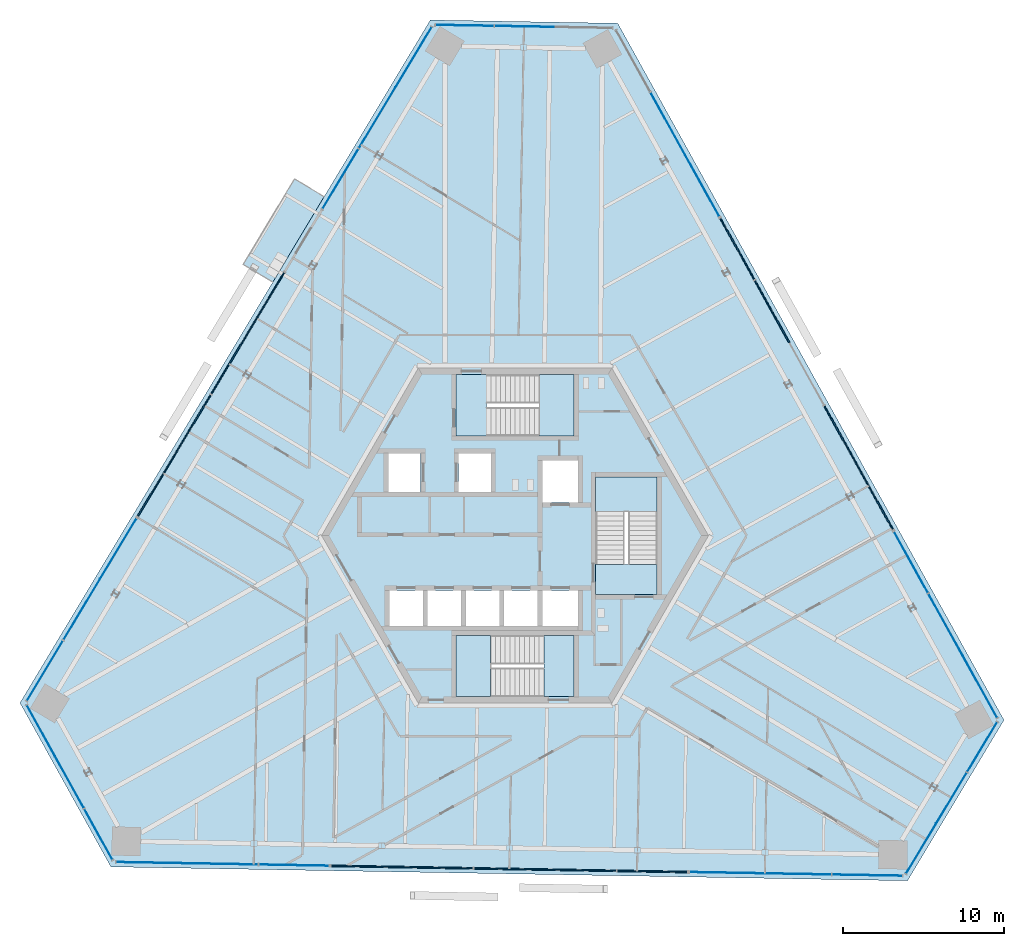
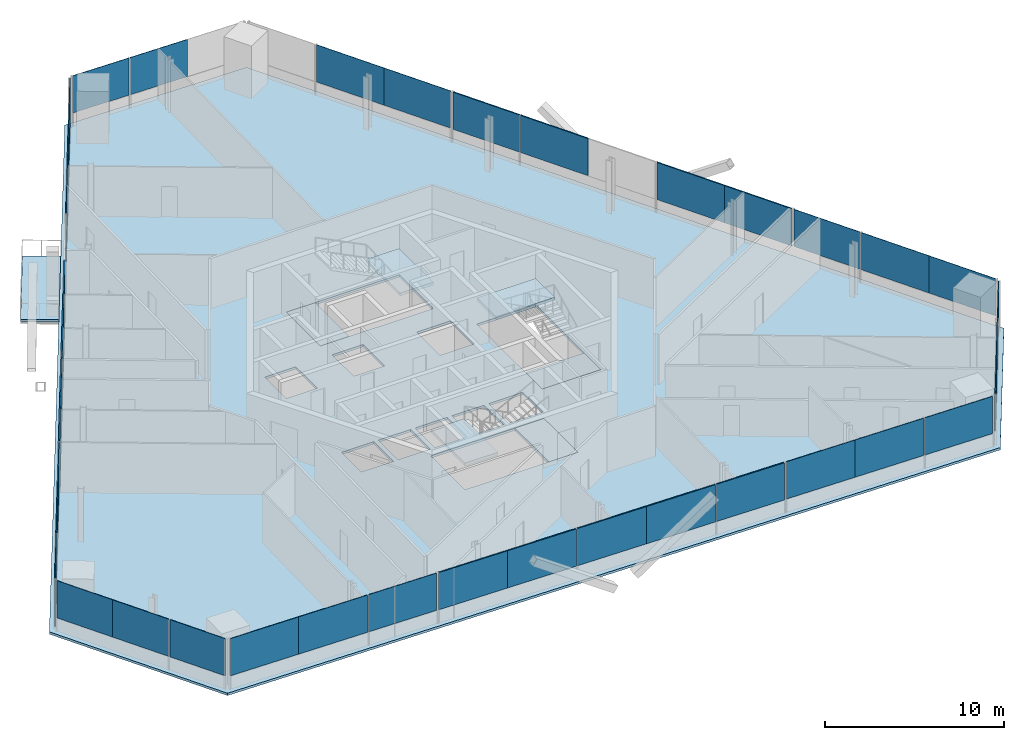
# One storey, part 10 of 18: 38 plates, 8 slabs, 15 elements without a shape of their own.
"""IFC4 building model written with IfcOpenShell, lengths in metres."""

from ifc_helpers import new_model, si_unit, direction, frame, origin, origin_2d, place, context, subcontext, project, spatial, polyline, rectangle, outline, extrude, source, transform, mapped, material, layer, layer_set, type_object, element, aggregate, save


model = new_model("IFC4")

# Units and contexts
model_context = context("Model", 3, precision=1e-05, world=origin(), true_north=direction((0.0, 1.0)))
body_context = subcontext(model_context, "Body", "Model", "MODEL_VIEW")
ifc_project = project(units=[si_unit("LENGTHUNIT", "METRE"), si_unit("AREAUNIT", "SQUARE_METRE"), si_unit("VOLUMEUNIT", "CUBIC_METRE"), si_unit("PLANEANGLEUNIT", "RADIAN"), si_unit("MASSUNIT", "GRAM", prefix="KILO")], contexts=[model_context])

# Site, building, storey
site_placement = place(None, origin())
site = spatial("IfcSite", under=ifc_project, at=site_placement, CompositionType="ELEMENT")
building_placement = place(site_placement, origin())
building = spatial("IfcBuilding", under=site, at=building_placement, Name="Triune Harvest Tower", CompositionType="ELEMENT")
storey_placement = place(building_placement, frame((0.0, 0.0, 197.89990234375)))
storey = spatial("IfcBuildingStorey", under=building, at=storey_placement, Name="L51", CompositionType="ELEMENT", Elevation=197.89990234375)

# Curtain wall, plates
ifc_material_1 = material(Name="Aluminium bronze anodised", Category="aluminium")
curtain_wall_type_1 = type_object("IfcCurtainWallType", Name="CW-6 Balcony window wall", PredefinedType="NOTDEFINED", material=ifc_material_1)
curtain_wall_1_placement = place(storey_placement, origin())
curtain_wall_1 = element("IfcCurtainWall", 1, at=curtain_wall_1_placement, inside=storey, type_object=curtain_wall_type_1, Name="CW-6 B5-F3 L51 run 1")
ifc_material_2 = material(Name="Glass", Category="glass")
ifc_layer_1 = layer(ifc_material_2, 0.030029296875)
ifc_layer_set_1 = layer_set([ifc_layer_1], Name="Glass")
plate_type_1 = type_object("IfcPlateType", Name="GL-6 panel 30", PredefinedType="CURTAIN_PANEL", material=ifc_layer_set_1)
plate_1_placement = place(storey_placement, frame((-6.294677734375, 29.67041015625, 0.150146484375), z_axis=(0.0, 0.0, 1.0), x_axis=(-0.515036632219, -0.857168167557, 0.0)))
plate_1 = element("IfcPlate", 2, at=plate_1_placement, type_object=plate_type_1, Name="CW-6 panel B5-F3 1.1", PredefinedType="CURTAIN_PANEL", context=body_context, shape_type="SweptSolid", body=[
    extrude(rectangle(XDim=4.355712890625, YDim=0.030029296875, at=origin_2d()), origin(), (0.0, 0.0, 1.0), 3.2900390625),
])
plate_2_placement = place(storey_placement, frame((-8.547607421875, 25.9208984375, 0.150146484375), z_axis=(0.0, 0.0, 1.0), x_axis=(-0.515036632219, -0.857168167557, 0.0)))
plate_2 = element("IfcPlate", 3, at=plate_2_placement, type_object=plate_type_1, Name="CW-6 panel B5-F3 1.2", PredefinedType="CURTAIN_PANEL", context=body_context, shape_type="SweptSolid", body=[
    extrude(rectangle(XDim=4.39306640625, YDim=0.030029296875, at=origin_2d()), origin(), (0.0, 0.0, 1.0), 3.2900390625),
])
plate_3_placement = place(storey_placement, frame((-10.82958984375, 22.123046875, 0.150146484375), z_axis=(0.0, 0.0, 1.0), x_axis=(-0.515036632219, -0.857168167557, 0.0)))
plate_3 = element("IfcPlate", 4, at=plate_3_placement, type_object=plate_type_1, Name="CW-6 panel B5-F3 1.3", PredefinedType="CURTAIN_PANEL", context=body_context, shape_type="SweptSolid", body=[
    extrude(rectangle(XDim=4.318115234375, YDim=0.030029296875, at=origin_2d()), origin(), (0.0, 0.0, 1.0), 3.2900390625),
])
aggregate(curtain_wall_1, [plate_1, plate_2, plate_3])

# Slab
ifc_material_3 = material(Name="Concrete 40 MPa", Category="concrete")
ifc_layer_2 = layer(ifc_material_3, 0.159912109375)
ifc_layer_set_2 = layer_set([ifc_layer_2], Name="Concrete 40 MPa")
slab_type_1 = type_object("IfcSlabType", Name="SL-1 Composite floor slab 160", PredefinedType="FLOOR", material=ifc_layer_set_2)
shared_shape_1 = source(origin(), body_context, "Body", "SweptSolid", [
    extrude(outline(polyline([(30.324951171875, -11.439208984375), (6.368896484375, 31.77880859375), (-5.256103515625, 31.981689453125), (-30.705810546875, -10.373779296875), (-25.069091796875, -20.542724609375), (24.3369140625, -21.405029296875), (30.324951171875, -11.439208984375)]), holes=[polyline([(-5.72509765625, -5.590087890625), (-5.72509765625, -3.389892578125), (-7.800048828125, -3.389892578125), (-7.800048828125, -5.590087890625), (-5.72509765625, -5.590087890625)]), polyline([(-3.35009765625, -5.590087890625), (-3.35009765625, -3.389892578125), (-5.425048828125, -3.389892578125), (-5.425048828125, -5.590087890625), (-3.35009765625, -5.590087890625)]), polyline([(-0.97509765625, -5.590087890625), (-0.97509765625, -3.389892578125), (-3.050048828125, -3.389892578125), (-3.050048828125, -5.590087890625), (-0.97509765625, -5.590087890625)]), polyline([(1.39990234375, -5.590087890625), (1.39990234375, -3.389892578125), (-0.675048828125, -3.389892578125), (-0.675048828125, -5.590087890625), (1.39990234375, -5.590087890625)]), polyline([(3.89990234375, 2.06005859375), (3.89990234375, 4.659912109375), (1.699951171875, 4.659912109375), (1.699951171875, 2.06005859375), (3.89990234375, 2.06005859375)]), polyline([(3.89990234375, -5.590087890625), (3.89990234375, -3.389892578125), (1.699951171875, -3.389892578125), (1.699951171875, -5.590087890625), (3.89990234375, -5.590087890625)]), polyline([(-5.85009765625, 2.7099609375), (-5.85009765625, 5.110107421875), (-7.85009765625, 5.110107421875), (-7.85009765625, 2.7099609375), (-5.85009765625, 2.7099609375)]), polyline([(-1.5, 2.7099609375), (-1.5, 5.110107421875), (-3.5, 5.110107421875), (-3.5, 2.7099609375), (-1.5, 2.7099609375)]), polyline([(3.64990234375, 6.18994140625), (3.64990234375, 9.989990234375), (-3.64990234375, 9.989990234375), (-3.64990234375, 6.18994140625), (3.64990234375, 6.18994140625)]), polyline([(3.64990234375, -9.989990234375), (3.64990234375, -6.18994140625), (-3.64990234375, -6.18994140625), (-3.64990234375, -9.989990234375), (3.64990234375, -9.989990234375)]), polyline([(8.800048828125, -3.64990234375), (8.800048828125, 3.64990234375), (5.0, 3.64990234375), (5.0, -3.64990234375), (8.800048828125, -3.64990234375)])]), origin(), (0.0, 0.0, 1.0), 0.159912109375),
])
slab_1_placement = place(storey_placement, frame((0.0, 0.0, -0.159912109375)))
element("IfcSlab", 5, at=slab_1_placement, inside=storey, type_object=slab_type_1, Name="slab/L51/1", PredefinedType="FLOOR", context=body_context, shape_type="MappedRepresentation", body=[
    mapped(shared_shape_1, transform((0.0, 0.0, 0.0), scale=1.0)),
])

# Stair, slabs
ifc_material_4 = material(Name="Concrete 40 MPa", Category="concrete")
stair_type = type_object("IfcStairType", Name="Exit stair 1800 half turn", PredefinedType="HALF_TURN_STAIR", material=ifc_material_4)
stair_1_placement = place(storey_placement, origin())
stair_1 = element("IfcStair", 6, at=stair_1_placement, inside=storey, type_object=stair_type, Name="Exit stair north", PredefinedType="HALF_TURN_STAIR")
ifc_material_5 = material(Name="Concrete 40 MPa", Category="concrete")
ifc_layer_3 = layer(ifc_material_5, 0.199951171875)
ifc_layer_set_3 = layer_set([ifc_layer_3], Name="Concrete 40 MPa")
slab_type_2 = type_object("IfcSlabType", Name="Stair landing 200", PredefinedType="LANDING", material=ifc_layer_set_3)
shared_shape_2 = source(origin(), body_context, "Body", "SweptSolid", [
    extrude(outline(polyline([(1.510009765625, 6.18994140625), (3.64990234375, 6.18994140625), (3.64990234375, 9.989990234375), (1.510009765625, 9.989990234375), (1.510009765625, 6.18994140625)])), origin(), (0.0, 0.0, 1.0), 0.199951171875),
])
slab_2_placement = place(storey_placement, frame((0.0, 0.0, 1.60009765625)))
slab_2 = element("IfcSlab", 7, at=slab_2_placement, type_object=slab_type_2, Name="ST-1 landing 2", PredefinedType="LANDING", context=body_context, shape_type="MappedRepresentation", body=[
    mapped(shared_shape_2, transform((0.0, 0.0, 0.0), scale=1.0)),
])
shared_shape_3 = source(origin(), body_context, "Body", "SweptSolid", [
    extrude(outline(polyline([(-3.64990234375, 6.18994140625), (-1.780029296875, 6.18994140625), (-1.780029296875, 9.989990234375), (-3.64990234375, 9.989990234375), (-3.64990234375, 6.18994140625)])), origin(), (0.0, 0.0, 1.0), 0.199951171875),
])
slab_3_placement = place(storey_placement, frame((0.0, 0.0, -0.199951171875)))
slab_3 = element("IfcSlab", 8, at=slab_3_placement, type_object=slab_type_2, Name="ST-1 landing 1", PredefinedType="LANDING", context=body_context, shape_type="MappedRepresentation", body=[
    mapped(shared_shape_3, transform((0.0, 0.0, 0.0), scale=1.0)),
])
aggregate(stair_1, [slab_3, slab_2])

stair_2_placement = place(storey_placement, origin())
stair_2 = element("IfcStair", 9, at=stair_2_placement, inside=storey, type_object=stair_type, Name="Exit stair south", PredefinedType="HALF_TURN_STAIR")
shared_shape_4 = source(origin(), body_context, "Body", "SweptSolid", [
    extrude(outline(polyline([(-1.510009765625, -6.18994140625), (-3.64990234375, -6.18994140625), (-3.64990234375, -9.989990234375), (-1.510009765625, -9.989990234375), (-1.510009765625, -6.18994140625)])), origin(), (0.0, 0.0, 1.0), 0.199951171875),
])
slab_4_placement = place(storey_placement, frame((0.0, 0.0, 1.60009765625)))
slab_4 = element("IfcSlab", 10, at=slab_4_placement, type_object=slab_type_2, Name="ST-2 landing 2", PredefinedType="LANDING", context=body_context, shape_type="MappedRepresentation", body=[
    mapped(shared_shape_4, transform((0.0, 0.0, 0.0), scale=1.0)),
])
shared_shape_5 = source(origin(), body_context, "Body", "SweptSolid", [
    extrude(outline(polyline([(3.64990234375, -6.18994140625), (1.780029296875, -6.18994140625), (1.780029296875, -9.989990234375), (3.64990234375, -9.989990234375), (3.64990234375, -6.18994140625)])), origin(), (0.0, 0.0, 1.0), 0.199951171875),
])
slab_5_placement = place(storey_placement, frame((0.0, 0.0, -0.199951171875)))
slab_5 = element("IfcSlab", 11, at=slab_5_placement, type_object=slab_type_2, Name="ST-2 landing 1", PredefinedType="LANDING", context=body_context, shape_type="MappedRepresentation", body=[
    mapped(shared_shape_5, transform((0.0, 0.0, 0.0), scale=1.0)),
])
aggregate(stair_2, [slab_5, slab_4])

stair_3_placement = place(storey_placement, origin())
stair_3 = element("IfcStair", 12, at=stair_3_placement, inside=storey, type_object=stair_type, Name="Exit stair east", PredefinedType="HALF_TURN_STAIR")
shared_shape_6 = source(origin(), body_context, "Body", "SweptSolid", [
    extrude(outline(polyline([(8.800048828125, 1.510009765625), (8.800048828125, 3.64990234375), (5.0, 3.64990234375), (5.0, 1.510009765625), (8.800048828125, 1.510009765625)])), origin(), (0.0, 0.0, 1.0), 0.199951171875),
])
slab_6_placement = place(storey_placement, frame((0.0, 0.0, 1.60009765625)))
slab_6 = element("IfcSlab", 13, at=slab_6_placement, type_object=slab_type_2, Name="ST-3 landing 2", PredefinedType="LANDING", context=body_context, shape_type="MappedRepresentation", body=[
    mapped(shared_shape_6, transform((0.0, 0.0, 0.0), scale=1.0)),
])
shared_shape_7 = source(origin(), body_context, "Body", "SweptSolid", [
    extrude(outline(polyline([(8.800048828125, -3.64990234375), (8.800048828125, -1.780029296875), (5.0, -1.780029296875), (5.0, -3.64990234375), (8.800048828125, -3.64990234375)])), origin(), (0.0, 0.0, 1.0), 0.199951171875),
])
slab_7_placement = place(storey_placement, frame((0.0, 0.0, -0.199951171875)))
slab_7 = element("IfcSlab", 14, at=slab_7_placement, type_object=slab_type_2, Name="ST-3 landing 1", PredefinedType="LANDING", context=body_context, shape_type="MappedRepresentation", body=[
    mapped(shared_shape_7, transform((0.0, 0.0, 0.0), scale=1.0)),
])
aggregate(stair_3, [slab_7, slab_6])

# Curtain wall, plate
ifc_material_6 = material(Name="Aluminium bronze anodised", Category="aluminium")
curtain_wall_type_2 = type_object("IfcCurtainWallType", Name="CW-1 Tower stick curtain wall", PredefinedType="NOTDEFINED", material=ifc_material_6)
curtain_wall_2_placement = place(storey_placement, origin())
curtain_wall_2 = element("IfcCurtainWall", 15, at=curtain_wall_2_placement, inside=storey, type_object=curtain_wall_type_2, Name="CW-1 B5-F4 L51 run 1")
ifc_material_7 = material(Name="Glass", Category="glass")
ifc_layer_4 = layer(ifc_material_7, 0.031982421875)
ifc_layer_set_4 = layer_set([ifc_layer_4], Name="Glass")
plate_type_2 = type_object("IfcPlateType", Name="GL-1 panel 32", PredefinedType="CURTAIN_PANEL", material=ifc_layer_set_4)
shared_shape_8 = source(origin(), body_context, "Body", "SweptSolid", [
    extrude(rectangle(XDim=3.625, YDim=0.031982421875, at=origin_2d()), origin(), (0.0, 0.0, 1.0), 2.5400390625),
])
plate_4_placement = place(storey_placement, frame((-29.400634765625, -12.109375, 0.900146484375), z_axis=(0.0, 0.0, 1.0), x_axis=(0.484801950362, -0.874623958582, 0.0)))
plate_4 = element("IfcPlate", 16, at=plate_4_placement, type_object=plate_type_2, Name="CW-1 panel B5-F4 1.1", PredefinedType="CURTAIN_PANEL", context=body_context, shape_type="MappedRepresentation", body=[
    mapped(shared_shape_8, transform((0.0, 0.0, 0.0), scale=1.0)),
])

curtain_wall_3_placement = place(storey_placement, origin())
curtain_wall_3 = element("IfcCurtainWall", 17, at=curtain_wall_3_placement, inside=storey, type_object=curtain_wall_type_2, Name="CW-1 B5-F6 L51 run 1")
plate_5_placement = place(storey_placement, frame((25.1875, -19.406982421875, 0.900146484375), z_axis=(0.0, 0.0, 1.0), x_axis=(0.515036685882, 0.857168135313, 0.0)))
plate_5 = element("IfcPlate", 18, at=plate_5_placement, type_object=plate_type_2, Name="CW-1 panel B5-F6 1.1", PredefinedType="CURTAIN_PANEL", context=body_context, shape_type="MappedRepresentation", body=[
    mapped(shared_shape_8, transform((0.0, 0.0, 0.0), scale=1.0)),
])

curtain_wall_4_placement = place(storey_placement, origin())
curtain_wall_4 = element("IfcCurtainWall", 19, at=curtain_wall_4_placement, inside=storey, type_object=curtain_wall_type_2, Name="CW-1 B5-F2 L51 run 1")
shared_shape_9 = source(origin(), body_context, "Body", "SweptSolid", [
    extrude(rectangle(XDim=3.66259765625, YDim=0.031982421875, at=origin_2d()), origin(), (0.0, 0.0, 1.0), 2.5400390625),
])
plate_6_placement = place(storey_placement, frame((0.570068359375, 31.580078125, 0.900146484375), z_axis=(0.0, 0.0, 1.0), x_axis=(-0.999847801404, 0.017446318452, 0.0)))
plate_6 = element("IfcPlate", 20, at=plate_6_placement, type_object=plate_type_2, Name="CW-1 panel B5-F2 1.2", PredefinedType="CURTAIN_PANEL", context=body_context, shape_type="MappedRepresentation", body=[
    mapped(shared_shape_9, transform((0.0, 0.0, 0.0), scale=1.0)),
])

# Plate
plate_7_placement = place(storey_placement, frame((-27.634033203125, -15.29638671875, 0.900146484375), z_axis=(0.0, 0.0, 1.0), x_axis=(0.484801950362, -0.874623958582, 0.0)))
plate_7 = element("IfcPlate", 21, at=plate_7_placement, type_object=plate_type_2, Name="CW-1 panel B5-F4 1.2", PredefinedType="CURTAIN_PANEL", context=body_context, shape_type="MappedRepresentation", body=[
    mapped(shared_shape_9, transform((0.0, 0.0, 0.0), scale=1.0)),
])

plate_8_placement = place(storey_placement, frame((27.064208984375, -16.28369140625, 0.900146484375), z_axis=(0.0, 0.0, 1.0), x_axis=(0.515036685882, 0.857168135313, 0.0)))
plate_8 = element("IfcPlate", 22, at=plate_8_placement, type_object=plate_type_2, Name="CW-1 panel B5-F6 1.2", PredefinedType="CURTAIN_PANEL", context=body_context, shape_type="MappedRepresentation", body=[
    mapped(shared_shape_9, transform((0.0, 0.0, 0.0), scale=1.0)),
])

shared_shape_10 = source(origin(), body_context, "Body", "SweptSolid", [
    extrude(rectangle(XDim=3.587646484375, YDim=0.031982421875, at=origin_2d()), origin(), (0.0, 0.0, 1.0), 2.5400390625),
])
plate_9_placement = place(storey_placement, frame((-3.129638671875, 31.64453125, 0.900146484375), z_axis=(0.0, 0.0, 1.0), x_axis=(-0.999847801404, 0.017446318452, 0.0)))
plate_9 = element("IfcPlate", 23, at=plate_9_placement, type_object=plate_type_2, Name="CW-1 panel B5-F2 1.3", PredefinedType="CURTAIN_PANEL", context=body_context, shape_type="MappedRepresentation", body=[
    mapped(shared_shape_10, transform((0.0, 0.0, 0.0), scale=1.0)),
])

aggregate(curtain_wall_4, [plate_6, plate_9])

plate_10_placement = place(storey_placement, frame((-25.84033203125, -18.532470703125, 0.900146484375), z_axis=(0.0, 0.0, 1.0), x_axis=(0.484801950362, -0.874623958582, 0.0)))
plate_10 = element("IfcPlate", 24, at=plate_10_placement, type_object=plate_type_2, Name="CW-1 panel B5-F4 1.3", PredefinedType="CURTAIN_PANEL", context=body_context, shape_type="MappedRepresentation", body=[
    mapped(shared_shape_10, transform((0.0, 0.0, 0.0), scale=1.0)),
])

aggregate(curtain_wall_2, [plate_4, plate_7, plate_10])

plate_11_placement = place(storey_placement, frame((28.9697265625, -13.112060546875, 0.900146484375), z_axis=(0.0, 0.0, 1.0), x_axis=(0.515036685882, 0.857168135313, 0.0)))
plate_11 = element("IfcPlate", 25, at=plate_11_placement, type_object=plate_type_2, Name="CW-1 panel B5-F6 1.3", PredefinedType="CURTAIN_PANEL", context=body_context, shape_type="MappedRepresentation", body=[
    mapped(shared_shape_10, transform((0.0, 0.0, 0.0), scale=1.0)),
])

aggregate(curtain_wall_3, [plate_5, plate_8, plate_11])

# Curtain wall, plates
ifc_material_8 = material(Name="Aluminium bronze anodised", Category="aluminium")
curtain_wall_type_3 = type_object("IfcCurtainWallType", Name="CW-7 Tower stick curtain wall with insulated spandrel infill", PredefinedType="NOTDEFINED", material=ifc_material_8)
curtain_wall_5_placement = place(storey_placement, origin())
curtain_wall_5 = element("IfcCurtainWall", 26, at=curtain_wall_5_placement, inside=storey, type_object=curtain_wall_type_3, Name="CW-7 B5-F1 L51 run 1001")
ifc_material_9 = material(Name="Insulated spandrel panel, bronze aluminium pan", Category="aluminium")
ifc_layer_5 = layer(ifc_material_9, 0.080078125)
ifc_layer_set_5 = layer_set([ifc_layer_5], Name="Insulated spandrel panel, bronze aluminium pan")
plate_type_3 = type_object("IfcPlateType", Name="SP-1 insulated spandrel panel 80", PredefinedType="CURTAIN_PANEL", material=ifc_layer_set_5)
shared_shape_11 = source(origin(), body_context, "Body", "SweptSolid", [
    extrude(rectangle(XDim=4.40673828125, YDim=0.080078125, at=origin_2d()), origin(), (0.0, 0.0, 1.0), 2.5400390625),
])
plate_12_placement = place(storey_placement, frame((20.248291015625, 6.120849609375, 0.900146484375), z_axis=(0.0, 0.0, 1.0), x_axis=(-0.484809369748, 0.874619845993, 0.0)))
plate_12 = element("IfcPlate", 27, at=plate_12_placement, type_object=plate_type_3, Name="CW-7 panel B5-F1 1001.2", PredefinedType="CURTAIN_PANEL", context=body_context, shape_type="MappedRepresentation", body=[
    mapped(shared_shape_11, transform((0.0, 0.0, 0.0), scale=1.0)),
])
plate_13_placement = place(storey_placement, frame((15.93896484375, 13.89501953125, 0.900146484375), z_axis=(0.0, 0.0, 1.0), x_axis=(-0.484809369748, 0.874619845993, 0.0)))
plate_13 = element("IfcPlate", 28, at=plate_13_placement, type_object=plate_type_3, Name="CW-7 panel B5-F1 1001.4", PredefinedType="CURTAIN_PANEL", context=body_context, shape_type="MappedRepresentation", body=[
    mapped(shared_shape_11, transform((0.0, 0.0, 0.0), scale=1.0)),
])

curtain_wall_6_placement = place(storey_placement, origin())
curtain_wall_6 = element("IfcCurtainWall", 29, at=curtain_wall_6_placement, inside=storey, type_object=curtain_wall_type_3, Name="CW-7 B5-F5 L51 run 1001")
plate_14_placement = place(storey_placement, frame((-4.8232421875, -20.59619140625, 0.900146484375), z_axis=(0.0, 0.0, 1.0), x_axis=(0.999847785361, -0.017447237873, 0.0)))
plate_14 = element("IfcPlate", 30, at=plate_14_placement, type_object=plate_type_3, Name="CW-7 panel B5-F5 1001.2", PredefinedType="CURTAIN_PANEL", context=body_context, shape_type="MappedRepresentation", body=[
    mapped(shared_shape_11, transform((0.0, 0.0, 0.0), scale=1.0)),
])
plate_15_placement = place(storey_placement, frame((-0.342041015625, -20.67431640625, 0.900146484375), z_axis=(0.0, 0.0, 1.0), x_axis=(0.999847785361, -0.017447237873, 0.0)))
plate_15 = element("IfcPlate", 31, at=plate_15_placement, type_object=plate_type_3, Name="CW-7 panel B5-F5 1001.3", PredefinedType="CURTAIN_PANEL", context=body_context, shape_type="MappedRepresentation", body=[
    mapped(shared_shape_11, transform((0.0, 0.0, 0.0), scale=1.0)),
])
plate_16_placement = place(storey_placement, frame((4.06396484375, -20.751220703125, 0.900146484375), z_axis=(0.0, 0.0, 1.0), x_axis=(0.999847785361, -0.017447237873, 0.0)))
plate_16 = element("IfcPlate", 32, at=plate_16_placement, type_object=plate_type_3, Name="CW-7 panel B5-F5 1001.4", PredefinedType="CURTAIN_PANEL", context=body_context, shape_type="MappedRepresentation", body=[
    mapped(shared_shape_11, transform((0.0, 0.0, 0.0), scale=1.0)),
])

# Curtain wall, plate
curtain_wall_7_placement = place(storey_placement, origin())
curtain_wall_7 = element("IfcCurtainWall", 33, at=curtain_wall_7_placement, inside=storey, type_object=curtain_wall_type_2, Name="CW-1 B5-F1 L51 run 1")
shared_shape_12 = source(origin(), body_context, "Body", "SweptSolid", [
    extrude(rectangle(XDim=4.369384765625, YDim=0.031982421875, at=origin_2d()), origin(), (0.0, 0.0, 1.0), 2.5400390625),
])
plate_17_placement = place(storey_placement, frame((28.83935546875, -9.378173828125, 0.900146484375), z_axis=(0.0, 0.0, 1.0), x_axis=(-0.484807744147, 0.874620747076, 0.0)))
plate_17 = element("IfcPlate", 34, at=plate_17_placement, type_object=plate_type_2, Name="CW-1 panel B5-F1 1.1", PredefinedType="CURTAIN_PANEL", context=body_context, shape_type="MappedRepresentation", body=[
    mapped(shared_shape_12, transform((0.0, 0.0, 0.0), scale=1.0)),
])

curtain_wall_8_placement = place(storey_placement, origin())
curtain_wall_8 = element("IfcCurtainWall", 35, at=curtain_wall_8_placement, inside=storey, type_object=curtain_wall_type_2, Name="CW-1 B5-F1 L51 run 2001")
plate_18_placement = place(storey_placement, frame((11.6025390625, 21.71826171875, 0.900146484375), z_axis=(0.0, 0.0, 1.0), x_axis=(-0.484807744147, 0.874620747076, 0.0)))
plate_18 = element("IfcPlate", 36, at=plate_18_placement, type_object=plate_type_2, Name="CW-1 panel B5-F1 2001.1", PredefinedType="CURTAIN_PANEL", context=body_context, shape_type="MappedRepresentation", body=[
    mapped(shared_shape_12, transform((0.0, 0.0, 0.0), scale=1.0)),
])

curtain_wall_9_placement = place(storey_placement, origin())
curtain_wall_9 = element("IfcCurtainWall", 37, at=curtain_wall_9_placement, inside=storey, type_object=curtain_wall_type_2, Name="CW-1 B5-F5 L51 run 1")
plate_19_placement = place(storey_placement, frame((-22.541259765625, -20.286865234375, 0.900146484375), z_axis=(0.0, 0.0, 1.0), x_axis=(0.999847643937, -0.017455340552, 0.0)))
plate_19 = element("IfcPlate", 38, at=plate_19_placement, type_object=plate_type_2, Name="CW-1 panel B5-F5 1.1", PredefinedType="CURTAIN_PANEL", context=body_context, shape_type="MappedRepresentation", body=[
    mapped(shared_shape_12, transform((0.0, 0.0, 0.0), scale=1.0)),
])

curtain_wall_10_placement = place(storey_placement, origin())
curtain_wall_10 = element("IfcCurtainWall", 39, at=curtain_wall_10_placement, inside=storey, type_object=curtain_wall_type_2, Name="CW-1 B5-F5 L51 run 2001")
plate_20_placement = place(storey_placement, frame((13.00732421875, -20.9072265625, 0.900146484375), z_axis=(0.0, 0.0, 1.0), x_axis=(0.999847643937, -0.017455340552, 0.0)))
plate_20 = element("IfcPlate", 40, at=plate_20_placement, type_object=plate_type_2, Name="CW-1 panel B5-F5 2001.1", PredefinedType="CURTAIN_PANEL", context=body_context, shape_type="MappedRepresentation", body=[
    mapped(shared_shape_12, transform((0.0, 0.0, 0.0), scale=1.0)),
])

# Plate
shared_shape_13 = source(origin(), body_context, "Body", "SweptSolid", [
    extrude(rectangle(XDim=4.40673828125, YDim=0.031982421875, at=origin_2d()), origin(), (0.0, 0.0, 1.0), 2.5400390625),
])
plate_21_placement = place(storey_placement, frame((26.712158203125, -5.540283203125, 0.900146484375), z_axis=(0.0, 0.0, 1.0), x_axis=(-0.484807744147, 0.874620747076, 0.0)))
plate_21 = element("IfcPlate", 41, at=plate_21_placement, type_object=plate_type_2, Name="CW-1 panel B5-F1 1.2", PredefinedType="CURTAIN_PANEL", context=body_context, shape_type="MappedRepresentation", body=[
    mapped(shared_shape_13, transform((0.0, 0.0, 0.0), scale=1.0)),
])

plate_22_placement = place(storey_placement, frame((9.47509765625, 25.55615234375, 0.900146484375), z_axis=(0.0, 0.0, 1.0), x_axis=(-0.484807744147, 0.874620747076, 0.0)))
plate_22 = element("IfcPlate", 42, at=plate_22_placement, type_object=plate_type_2, Name="CW-1 panel B5-F1 2001.2", PredefinedType="CURTAIN_PANEL", context=body_context, shape_type="MappedRepresentation", body=[
    mapped(shared_shape_13, transform((0.0, 0.0, 0.0), scale=1.0)),
])

aggregate(curtain_wall_8, [plate_18, plate_22])

plate_23_placement = place(storey_placement, frame((-18.154052734375, -20.363525390625, 0.900146484375), z_axis=(0.0, 0.0, 1.0), x_axis=(0.999847643937, -0.017455340552, 0.0)))
plate_23 = element("IfcPlate", 43, at=plate_23_placement, type_object=plate_type_2, Name="CW-1 panel B5-F5 1.2", PredefinedType="CURTAIN_PANEL", context=body_context, shape_type="MappedRepresentation", body=[
    mapped(shared_shape_13, transform((0.0, 0.0, 0.0), scale=1.0)),
])

plate_24_placement = place(storey_placement, frame((17.394775390625, -20.98388671875, 0.900146484375), z_axis=(0.0, 0.0, 1.0), x_axis=(0.999847643937, -0.017455340552, 0.0)))
plate_24 = element("IfcPlate", 44, at=plate_24_placement, type_object=plate_type_2, Name="CW-1 panel B5-F5 2001.2", PredefinedType="CURTAIN_PANEL", context=body_context, shape_type="MappedRepresentation", body=[
    mapped(shared_shape_13, transform((0.0, 0.0, 0.0), scale=1.0)),
])

shared_shape_14 = source(origin(), body_context, "Body", "SweptSolid", [
    extrude(rectangle(XDim=4.331787109375, YDim=0.031982421875, at=origin_2d()), origin(), (0.0, 0.0, 1.0), 2.5400390625),
])
plate_25_placement = place(storey_placement, frame((24.5576171875, -1.653076171875, 0.900146484375), z_axis=(0.0, 0.0, 1.0), x_axis=(-0.484807744147, 0.874620747076, 0.0)))
plate_25 = element("IfcPlate", 45, at=plate_25_placement, type_object=plate_type_2, Name="CW-1 panel B5-F1 1.3", PredefinedType="CURTAIN_PANEL", context=body_context, shape_type="MappedRepresentation", body=[
    mapped(shared_shape_14, transform((0.0, 0.0, 0.0), scale=1.0)),
])

aggregate(curtain_wall_7, [plate_17, plate_21, plate_25])

plate_26_placement = place(storey_placement, frame((-13.71044921875, -20.44091796875, 0.900146484375), z_axis=(0.0, 0.0, 1.0), x_axis=(0.999847643937, -0.017455340552, 0.0)))
plate_26 = element("IfcPlate", 46, at=plate_26_placement, type_object=plate_type_2, Name="CW-1 panel B5-F5 1.3", PredefinedType="CURTAIN_PANEL", context=body_context, shape_type="MappedRepresentation", body=[
    mapped(shared_shape_14, transform((0.0, 0.0, 0.0), scale=1.0)),
])

aggregate(curtain_wall_9, [plate_19, plate_23, plate_26])

plate_27_placement = place(storey_placement, frame((21.83837890625, -21.0615234375, 0.900146484375), z_axis=(0.0, 0.0, 1.0), x_axis=(0.999847643937, -0.017455340552, 0.0)))
plate_27 = element("IfcPlate", 47, at=plate_27_placement, type_object=plate_type_2, Name="CW-1 panel B5-F5 2001.3", PredefinedType="CURTAIN_PANEL", context=body_context, shape_type="MappedRepresentation", body=[
    mapped(shared_shape_14, transform((0.0, 0.0, 0.0), scale=1.0)),
])

aggregate(curtain_wall_10, [plate_20, plate_24, plate_27])

# Slab
ifc_material_10 = material(Name="Concrete 40 MPa", Category="concrete")
ifc_layer_6 = layer(ifc_material_10, 0.159912109375)
ifc_layer_set_6 = layer_set([ifc_layer_6], Name="Concrete 40 MPa")
slab_type_3 = type_object("IfcSlabType", Name="BA-1 balcony slab 160", PredefinedType="FLOOR", material=ifc_layer_set_6)
shared_shape_15 = source(origin(), body_context, "Body", "SweptSolid", [
    extrude(outline(polyline([(-11.841064453125, 21.0224609375), (-15.026611328125, 15.720458984375), (-16.867919921875, 16.826904296875), (-13.68212890625, 22.128662109375), (-11.841064453125, 21.0224609375)])), origin(), (0.0, 0.0, 1.0), 0.159912109375),
])
slab_8_placement = place(storey_placement, frame((0.0, 0.0, -0.159912109375)))
element("IfcSlab", 48, at=slab_8_placement, inside=storey, type_object=slab_type_3, Name="Balcony slab B5-F3 L51.4", PredefinedType="FLOOR", context=body_context, shape_type="MappedRepresentation", body=[
    mapped(shared_shape_15, transform((0.0, 0.0, 0.0), scale=1.0)),
])

# Curtain wall, plates
curtain_wall_11_placement = place(storey_placement, origin())
curtain_wall_11 = element("IfcCurtainWall", 49, at=curtain_wall_11_placement, inside=storey, type_object=curtain_wall_type_1, Name="CW-6 B5-F3 L51 run 1002")
shared_shape_16 = source(origin(), body_context, "Body", "SweptSolid", [
    extrude(rectangle(XDim=4.372802734375, YDim=0.030029296875, at=origin_2d()), origin(), (0.0, 0.0, 1.0), 3.2900390625),
])
plate_28_placement = place(storey_placement, frame((-24.60546875, -0.803466796875, 0.150146484375), z_axis=(0.0, 0.0, 1.0), x_axis=(-0.515034247558, -0.857169600396, 0.0)))
plate_28 = element("IfcPlate", 50, at=plate_28_placement, type_object=plate_type_1, Name="CW-6 panel B5-F3 1002.1", PredefinedType="CURTAIN_PANEL", context=body_context, shape_type="MappedRepresentation", body=[
    mapped(shared_shape_16, transform((0.0, 0.0, 0.0), scale=1.0)),
])
shared_shape_17 = source(origin(), body_context, "Body", "SweptSolid", [
    extrude(rectangle(XDim=4.41015625, YDim=0.030029296875, at=origin_2d()), origin(), (0.0, 0.0, 1.0), 3.2900390625),
])
plate_29_placement = place(storey_placement, frame((-26.8671875, -4.56787109375, 0.150146484375), z_axis=(0.0, 0.0, 1.0), x_axis=(-0.515034247558, -0.857169600396, 0.0)))
plate_29 = element("IfcPlate", 51, at=plate_29_placement, type_object=plate_type_1, Name="CW-6 panel B5-F3 1002.2", PredefinedType="CURTAIN_PANEL", context=body_context, shape_type="MappedRepresentation", body=[
    mapped(shared_shape_17, transform((0.0, 0.0, 0.0), scale=1.0)),
])
shared_shape_18 = source(origin(), body_context, "Body", "SweptSolid", [
    extrude(rectangle(XDim=4.335205078125, YDim=0.030029296875, at=origin_2d()), origin(), (0.0, 0.0, 1.0), 3.2900390625),
])
plate_30_placement = place(storey_placement, frame((-29.157958984375, -8.38037109375, 0.150146484375), z_axis=(0.0, 0.0, 1.0), x_axis=(-0.515034247558, -0.857169600396, 0.0)))
plate_30 = element("IfcPlate", 52, at=plate_30_placement, type_object=plate_type_1, Name="CW-6 panel B5-F3 1002.3", PredefinedType="CURTAIN_PANEL", context=body_context, shape_type="MappedRepresentation", body=[
    mapped(shared_shape_18, transform((0.0, 0.0, 0.0), scale=1.0)),
])
aggregate(curtain_wall_11, [plate_28, plate_29, plate_30])

ifc_material_11 = material(Name="Aluminium bronze anodised", Category="aluminium")
curtain_wall_type_4 = type_object("IfcCurtainWallType", Name="CW-10 Balcony window wall with insulated spandrel infill", PredefinedType="NOTDEFINED", material=ifc_material_11)
curtain_wall_12_placement = place(storey_placement, origin())
curtain_wall_12 = element("IfcCurtainWall", 53, at=curtain_wall_12_placement, inside=storey, type_object=curtain_wall_type_4, Name="CW-10 B5-F3 L51 run 2")
shared_shape_19 = source(origin(), body_context, "Body", "SweptSolid", [
    extrude(rectangle(XDim=4.372802734375, YDim=0.080078125, at=origin_2d()), origin(), (0.0, 0.0, 1.0), 3.2900390625),
])
plate_31_placement = place(storey_placement, frame((-15.4423828125, 14.4462890625, 0.150146484375), z_axis=(0.0, 0.0, 1.0), x_axis=(-0.515038420705, -0.857167092928, 0.0)))
plate_31 = element("IfcPlate", 54, at=plate_31_placement, type_object=plate_type_3, Name="CW-10 panel B5-F3 2.1", PredefinedType="CURTAIN_PANEL", context=body_context, shape_type="MappedRepresentation", body=[
    mapped(shared_shape_19, transform((0.0, 0.0, 0.0), scale=1.0)),
])
plate_32_placement = place(storey_placement, frame((-22.276123046875, 3.0732421875, 0.150146484375), z_axis=(0.0, 0.0, 1.0), x_axis=(-0.515038420705, -0.857167092928, 0.0)))
plate_32 = element("IfcPlate", 55, at=plate_32_placement, type_object=plate_type_3, Name="CW-10 panel B5-F3 2.4", PredefinedType="CURTAIN_PANEL", context=body_context, shape_type="MappedRepresentation", body=[
    mapped(shared_shape_19, transform((0.0, 0.0, 0.0), scale=1.0)),
])
shared_shape_20 = source(origin(), body_context, "Body", "SweptSolid", [
    extrude(rectangle(XDim=4.41015625, YDim=0.080078125, at=origin_2d()), origin(), (0.0, 0.0, 1.0), 3.2900390625),
])
plate_33_placement = place(storey_placement, frame((-17.7041015625, 10.68212890625, 0.150146484375), z_axis=(0.0, 0.0, 1.0), x_axis=(-0.515038420705, -0.857167092928, 0.0)))
plate_33 = element("IfcPlate", 56, at=plate_33_placement, type_object=plate_type_3, Name="CW-10 panel B5-F3 2.2", PredefinedType="CURTAIN_PANEL", context=body_context, shape_type="MappedRepresentation", body=[
    mapped(shared_shape_20, transform((0.0, 0.0, 0.0), scale=1.0)),
])
plate_34_placement = place(storey_placement, frame((-20.01416015625, 6.83740234375, 0.150146484375), z_axis=(0.0, 0.0, 1.0), x_axis=(-0.515038420705, -0.857167092928, 0.0)))
plate_34 = element("IfcPlate", 57, at=plate_34_placement, type_object=plate_type_3, Name="CW-10 panel B5-F3 2.3", PredefinedType="CURTAIN_PANEL", context=body_context, shape_type="MappedRepresentation", body=[
    mapped(shared_shape_20, transform((0.0, 0.0, 0.0), scale=1.0)),
])
aggregate(curtain_wall_12, [plate_31, plate_33, plate_34, plate_32])

# Plate
shared_shape_21 = source(origin(), body_context, "Body", "SweptSolid", [
    extrude(rectangle(XDim=4.369140625, YDim=0.080078125, at=origin_2d()), origin(), (0.0, 0.0, 1.0), 2.5400390625),
])
plate_35_placement = place(storey_placement, frame((22.37548828125, 2.283203125, 0.900146484375), z_axis=(0.0, 0.0, 1.0), x_axis=(-0.484809369748, 0.874619845993, 0.0)))
plate_35 = element("IfcPlate", 58, at=plate_35_placement, type_object=plate_type_3, Name="CW-7 panel B5-F1 1001.1", PredefinedType="CURTAIN_PANEL", context=body_context, shape_type="MappedRepresentation", body=[
    mapped(shared_shape_21, transform((0.0, 0.0, 0.0), scale=1.0)),
])

plate_36_placement = place(storey_placement, frame((-9.21044921875, -20.51953125, 0.900146484375), z_axis=(0.0, 0.0, 1.0), x_axis=(0.999847785361, -0.017447237873, 0.0)))
plate_36 = element("IfcPlate", 59, at=plate_36_placement, type_object=plate_type_3, Name="CW-7 panel B5-F5 1001.1", PredefinedType="CURTAIN_PANEL", context=body_context, shape_type="MappedRepresentation", body=[
    mapped(shared_shape_21, transform((0.0, 0.0, 0.0), scale=1.0)),
])

shared_shape_22 = source(origin(), body_context, "Body", "SweptSolid", [
    extrude(rectangle(XDim=4.331787109375, YDim=0.080078125, at=origin_2d()), origin(), (0.0, 0.0, 1.0), 2.5400390625),
])
plate_37_placement = place(storey_placement, frame((13.784423828125, 17.781982421875, 0.900146484375), z_axis=(0.0, 0.0, 1.0), x_axis=(-0.484809369748, 0.874619845993, 0.0)))
plate_37 = element("IfcPlate", 60, at=plate_37_placement, type_object=plate_type_3, Name="CW-7 panel B5-F1 1001.5", PredefinedType="CURTAIN_PANEL", context=body_context, shape_type="MappedRepresentation", body=[
    mapped(shared_shape_22, transform((0.0, 0.0, 0.0), scale=1.0)),
])

aggregate(curtain_wall_5, [plate_35, plate_12, plate_13, plate_37])

plate_38_placement = place(storey_placement, frame((8.507568359375, -20.82861328125, 0.900146484375), z_axis=(0.0, 0.0, 1.0), x_axis=(0.999847785361, -0.017447237873, 0.0)))
plate_38 = element("IfcPlate", 61, at=plate_38_placement, type_object=plate_type_3, Name="CW-7 panel B5-F5 1001.5", PredefinedType="CURTAIN_PANEL", context=body_context, shape_type="MappedRepresentation", body=[
    mapped(shared_shape_22, transform((0.0, 0.0, 0.0), scale=1.0)),
])

aggregate(curtain_wall_6, [plate_36, plate_14, plate_15, plate_16, plate_38])

save(model, "model.ifc")
